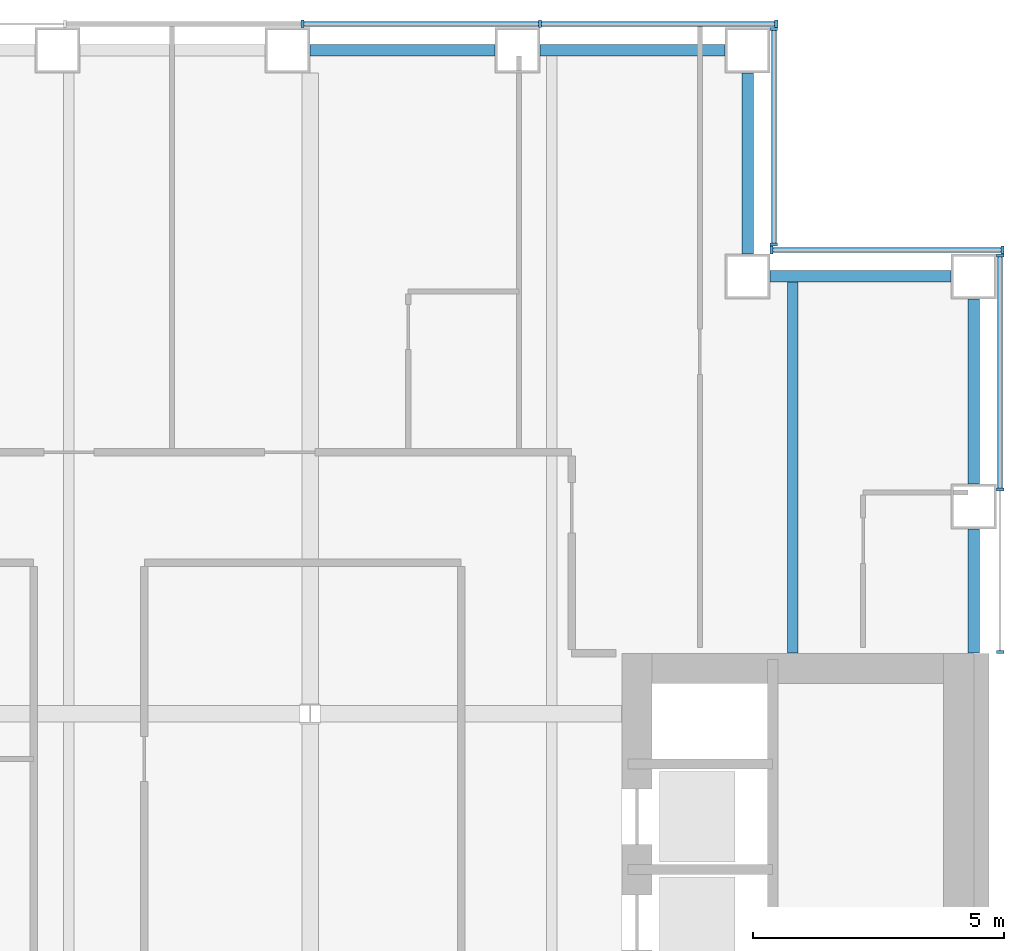
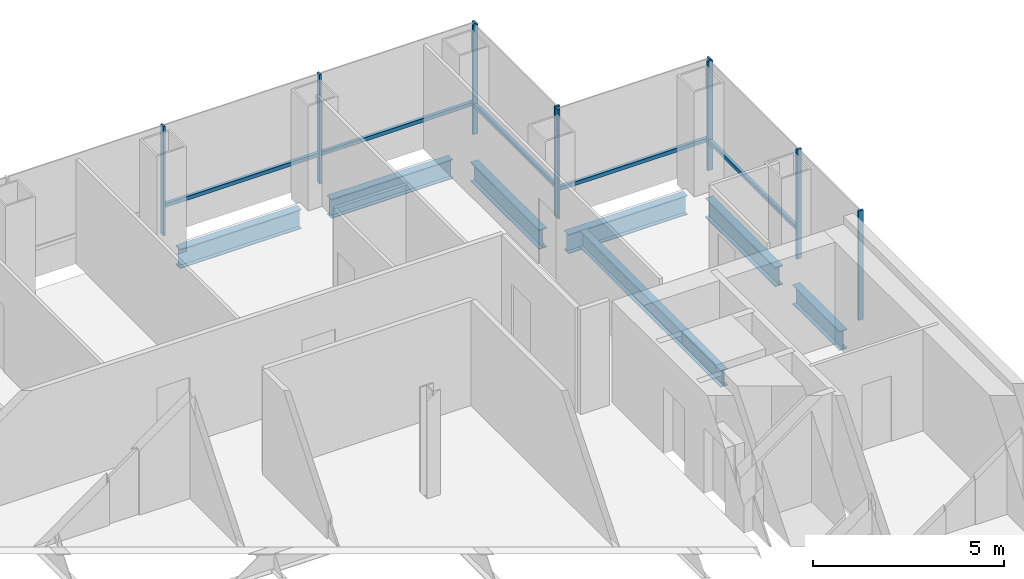
# One storey, part 8 of 16: 15 members, 7 beams, 4 elements without a shape of their own.
"""IFC4 building model written with IfcOpenShell, lengths in metres."""

from ifc_helpers import new_model, si_unit, direction, frame, origin, origin_2d, place, context, subcontext, project, spatial, rectangle, i_section, extrude, material, material_profile, profile_set, type_object, element, aggregate, save


model = new_model("IFC4")

# Units and contexts
model_context = context("Model", 3, precision=1e-05, world=origin(), true_north=direction((0.0, 1.0)))
body_context = subcontext(model_context, "Body", "Model", "MODEL_VIEW")
ifc_project = project(units=[si_unit("LENGTHUNIT", "METRE"), si_unit("AREAUNIT", "SQUARE_METRE"), si_unit("VOLUMEUNIT", "CUBIC_METRE"), si_unit("PLANEANGLEUNIT", "RADIAN"), si_unit("MASSUNIT", "GRAM", prefix="KILO")], contexts=[model_context])

# Site, building, storey
site_placement = place(None, origin())
site = spatial("IfcSite", under=ifc_project, at=site_placement, CompositionType="ELEMENT")
building_placement = place(site_placement, origin())
building = spatial("IfcBuilding", under=site, at=building_placement, Name="Cobrizo Arcos Hotel Tower", CompositionType="ELEMENT")
storey_placement = place(building_placement, frame((0.0, 0.0, 113.5)))
storey = spatial("IfcBuildingStorey", under=building, at=storey_placement, Name="L28", CompositionType="ELEMENT", Elevation=113.5)

# Curtain wall, members
ifc_material_1 = material(Name="Aluminium 6063-T6 anodised bronze", Category="aluminium")
curtain_wall_type = type_object("IfcCurtainWallType", Name="CW-A guest facade", PredefinedType="NOTDEFINED", material=ifc_material_1)
curtain_wall_1_placement = place(storey_placement, origin())
curtain_wall_1 = element("IfcCurtainWall", 1, at=curtain_wall_1_placement, inside=storey, type_object=curtain_wall_type, Name="CW-A L28 E face", PredefinedType="NOTDEFINED")
ifc_material_profile_1 = material_profile(ifc_material_1, rectangle(XDim=0.14990234375, YDim=0.06005859375, at=origin_2d()), Name="CW-A mullion 150x60")
ifc_profile_set_1 = profile_set([ifc_material_profile_1], Name="Aluminium 6063-T6 anodised bronze")
member_type_1 = type_object("IfcMemberType", Name="CW-A mullion 150x60", PredefinedType="MULLION", material=ifc_profile_set_1)
member_1_placement = place(storey_placement, frame((23.324951171875, 10.830078125, 0.0), z_axis=(0.0, 0.0, 1.0), x_axis=(1.0, 0.0, 0.0)))
member_1 = element("IfcMember", 2, at=member_1_placement, type_object=member_type_1, Name="CW-A mullion 1", PredefinedType="MULLION", context=body_context, shape_type="SweptSolid", body=[
    extrude(rectangle(XDim=0.14990234375, YDim=0.06005859375, at=origin_2d()), origin(), (0.0, 0.0, 1.0), 3.5),
])
member_2_placement = place(storey_placement, frame((23.324951171875, 14.0625, 0.0), z_axis=(0.0, 0.0, 1.0), x_axis=(1.0, 0.0, 0.0)))
member_2 = element("IfcMember", 3, at=member_2_placement, type_object=member_type_1, Name="CW-A mullion 2", PredefinedType="MULLION", context=body_context, shape_type="SweptSolid", body=[
    extrude(rectangle(XDim=0.14990234375, YDim=0.06005859375, at=origin_2d()), origin(), (0.0, 0.0, 1.0), 3.5),
])
member_3_placement = place(storey_placement, frame((23.324951171875, 18.719970703125, 0.0), z_axis=(0.0, 0.0, 1.0), x_axis=(1.0, 0.0, 0.0)))
member_3 = element("IfcMember", 4, at=member_3_placement, type_object=member_type_1, Name="CW-A mullion 3", PredefinedType="MULLION", context=body_context, shape_type="SweptSolid", body=[
    extrude(rectangle(XDim=0.14990234375, YDim=0.06005859375, at=origin_2d()), origin(), (0.0, 0.0, 1.0), 3.5),
])

curtain_wall_2_placement = place(storey_placement, origin())
curtain_wall_2 = element("IfcCurtainWall", 5, at=curtain_wall_2_placement, inside=storey, type_object=curtain_wall_type, Name="CW-A L28 N face", PredefinedType="NOTDEFINED")
member_4_placement = place(storey_placement, frame((23.3701171875, 18.824951171875, 0.0), z_axis=(0.0, 0.0, 1.0), x_axis=(0.0, 1.0, 0.0)))
member_4 = element("IfcMember", 6, at=member_4_placement, type_object=member_type_1, Name="CW-A mullion 1", PredefinedType="MULLION", context=body_context, shape_type="SweptSolid", body=[
    extrude(rectangle(XDim=0.14990234375, YDim=0.06005859375, at=origin_2d()), origin(), (0.0, 0.0, 1.0), 3.5),
])
member_5_placement = place(storey_placement, frame((18.780029296875, 18.824951171875, 0.0), z_axis=(0.0, 0.0, 1.0), x_axis=(0.0, 1.0, 0.0)))
member_5 = element("IfcMember", 7, at=member_5_placement, type_object=member_type_1, Name="CW-A mullion 2", PredefinedType="MULLION", context=body_context, shape_type="SweptSolid", body=[
    extrude(rectangle(XDim=0.14990234375, YDim=0.06005859375, at=origin_2d()), origin(), (0.0, 0.0, 1.0), 3.5),
])

curtain_wall_3_placement = place(storey_placement, origin())
curtain_wall_3 = element("IfcCurtainWall", 8, at=curtain_wall_3_placement, inside=storey, type_object=curtain_wall_type, Name="CW-A L28 E face", PredefinedType="NOTDEFINED")
member_6_placement = place(storey_placement, frame((18.824951171875, 18.929931640625, 0.0), z_axis=(0.0, 0.0, 1.0), x_axis=(1.0, 0.0, 0.0)))
member_6 = element("IfcMember", 9, at=member_6_placement, type_object=member_type_1, Name="CW-A mullion 1", PredefinedType="MULLION", context=body_context, shape_type="SweptSolid", body=[
    extrude(rectangle(XDim=0.14990234375, YDim=0.06005859375, at=origin_2d()), origin(), (0.0, 0.0, 1.0), 3.5),
])
member_7_placement = place(storey_placement, frame((18.824951171875, 23.219970703125, 0.0), z_axis=(0.0, 0.0, 1.0), x_axis=(1.0, 0.0, 0.0)))
member_7 = element("IfcMember", 10, at=member_7_placement, type_object=member_type_1, Name="CW-A mullion 2", PredefinedType="MULLION", context=body_context, shape_type="SweptSolid", body=[
    extrude(rectangle(XDim=0.14990234375, YDim=0.06005859375, at=origin_2d()), origin(), (0.0, 0.0, 1.0), 3.5),
])

curtain_wall_4_placement = place(storey_placement, origin())
curtain_wall_4 = element("IfcCurtainWall", 11, at=curtain_wall_4_placement, inside=storey, type_object=curtain_wall_type, Name="CW-A L28 N face", PredefinedType="NOTDEFINED")
member_8_placement = place(storey_placement, frame((18.8701171875, 23.324951171875, 0.0), z_axis=(0.0, 0.0, 1.0), x_axis=(0.0, 1.0, 0.0)))
member_8 = element("IfcMember", 12, at=member_8_placement, type_object=member_type_1, Name="CW-A mullion 1", PredefinedType="MULLION", context=body_context, shape_type="SweptSolid", body=[
    extrude(rectangle(XDim=0.14990234375, YDim=0.06005859375, at=origin_2d()), origin(), (0.0, 0.0, 1.0), 3.5),
])
member_9_placement = place(storey_placement, frame((14.175048828125, 23.324951171875, 0.0), z_axis=(0.0, 0.0, 1.0), x_axis=(0.0, 1.0, 0.0)))
member_9 = element("IfcMember", 13, at=member_9_placement, type_object=member_type_1, Name="CW-A mullion 2", PredefinedType="MULLION", context=body_context, shape_type="SweptSolid", body=[
    extrude(rectangle(XDim=0.14990234375, YDim=0.06005859375, at=origin_2d()), origin(), (0.0, 0.0, 1.0), 3.5),
])
member_10_placement = place(storey_placement, frame((9.449951171875, 23.324951171875, 0.0), z_axis=(0.0, 0.0, 1.0), x_axis=(0.0, 1.0, 0.0)))
member_10 = element("IfcMember", 14, at=member_10_placement, type_object=member_type_1, Name="CW-A mullion 3", PredefinedType="MULLION", context=body_context, shape_type="SweptSolid", body=[
    extrude(rectangle(XDim=0.14990234375, YDim=0.06005859375, at=origin_2d()), origin(), (0.0, 0.0, 1.0), 3.5),
])

# Member
ifc_material_profile_2 = material_profile(ifc_material_1, rectangle(XDim=0.10009765625, YDim=0.1201171875, at=origin_2d()), Name="CW-A transom 120x100")
ifc_profile_set_2 = profile_set([ifc_material_profile_2], Name="Aluminium 6063-T6 anodised bronze")
member_type_2 = type_object("IfcMemberType", Name="CW-A transom 120x100", PredefinedType="USERDEFINED", material=ifc_profile_set_2)
member_11_placement = place(storey_placement, frame((23.324951171875, 14.092529296875, 0.929931640625), z_axis=(0.0, 1.0, 0.0), x_axis=(-1.0, 0.0, 0.0)))
member_11 = element("IfcMember", 15, at=member_11_placement, type_object=member_type_2, Name="CW-A transom 1088", ObjectType="TRANSOM", PredefinedType="USERDEFINED", context=body_context, shape_type="SweptSolid", body=[
    extrude(rectangle(XDim=0.10009765625, YDim=0.1201171875, at=origin_2d()), origin(), (0.0, 0.0, 1.0), 4.597412109375),
])

aggregate(curtain_wall_1, [member_1, member_2, member_3, member_11])

member_12_placement = place(storey_placement, frame((23.340087890625, 18.824951171875, 0.929931640625), z_axis=(-1.0, 0.0, 0.0), x_axis=(0.0, -1.0, 0.0)))
member_12 = element("IfcMember", 16, at=member_12_placement, type_object=member_type_2, Name="CW-A transom 1089", ObjectType="TRANSOM", PredefinedType="USERDEFINED", context=body_context, shape_type="SweptSolid", body=[
    extrude(rectangle(XDim=0.10009765625, YDim=0.1201171875, at=origin_2d()), origin(), (0.0, 0.0, 1.0), 4.530029296875),
])

aggregate(curtain_wall_2, [member_4, member_5, member_12])

member_13_placement = place(storey_placement, frame((18.824951171875, 18.9599609375, 0.929931640625), z_axis=(0.0, 1.0, 0.0), x_axis=(-1.0, 0.0, 0.0)))
member_13 = element("IfcMember", 17, at=member_13_placement, type_object=member_type_2, Name="CW-A transom 1090", ObjectType="TRANSOM", PredefinedType="USERDEFINED", context=body_context, shape_type="SweptSolid", body=[
    extrude(rectangle(XDim=0.10009765625, YDim=0.1201171875, at=origin_2d()), origin(), (0.0, 0.0, 1.0), 4.22998046875),
])

aggregate(curtain_wall_3, [member_6, member_7, member_13])

member_14_placement = place(storey_placement, frame((18.840087890625, 23.324951171875, 0.929931640625), z_axis=(-1.0, 0.0, 0.0), x_axis=(0.0, -1.0, 0.0)))
member_14 = element("IfcMember", 18, at=member_14_placement, type_object=member_type_2, Name="CW-A transom 1091", ObjectType="TRANSOM", PredefinedType="USERDEFINED", context=body_context, shape_type="SweptSolid", body=[
    extrude(rectangle(XDim=0.10009765625, YDim=0.1201171875, at=origin_2d()), origin(), (0.0, 0.0, 1.0), 4.635009765625),
])

member_15_placement = place(storey_placement, frame((14.14501953125, 23.324951171875, 0.929931640625), z_axis=(-1.0, 0.0, 0.0), x_axis=(0.0, -1.0, 0.0)))
member_15 = element("IfcMember", 19, at=member_15_placement, type_object=member_type_2, Name="CW-A transom 1092", ObjectType="TRANSOM", PredefinedType="USERDEFINED", context=body_context, shape_type="SweptSolid", body=[
    extrude(rectangle(XDim=0.10009765625, YDim=0.1201171875, at=origin_2d()), origin(), (0.0, 0.0, 1.0), 4.6650390625),
])

aggregate(curtain_wall_4, [member_8, member_9, member_10, member_14, member_15])

# Beams
ifc_material_2 = material(Name="Steel ASTM A992 Grade 50", Category="steel")
ifc_material_profile_3 = material_profile(ifc_material_2, i_section(OverallWidth=0.209228515625, OverallDepth=0.533447265625, WebThickness=0.01025390625, FlangeThickness=0.015625, at=origin_2d()), Name="W21X62")
ifc_profile_set_3 = profile_set([ifc_material_profile_3], Name="Steel ASTM A992 Grade 50")
beam_type_1 = type_object("IfcBeamType", Name="W21X62 joist", PredefinedType="JOIST", material=ifc_profile_set_3)
beam_1_placement = place(storey_placement, frame((19.199951171875, 10.81005859375, -0.416748046875), z_axis=(0.0, 1.0, 0.0), x_axis=(-1.0, 0.0, 0.0)))
element("IfcBeam", 20, at=beam_1_placement, inside=storey, type_object=beam_type_1, Name="Floor joist J1, L28, no. 020", PredefinedType="JOIST", context=body_context, shape_type="SweptSolid", body=[
    extrude(i_section(OverallWidth=0.209228515625, OverallDepth=0.533447265625, WebThickness=0.01025390625, FlangeThickness=0.015625, at=origin_2d()), origin(), (0.0, 0.0, 1.0), 7.39990234375),
])
ifc_material_profile_4 = material_profile(ifc_material_2, i_section(OverallWidth=0.23046875, OverallDepth=0.6171875, WebThickness=0.01318359375, FlangeThickness=0.022216796875, at=origin_2d()), Name="W24X94")
ifc_profile_set_4 = profile_set([ifc_material_profile_4], Name="Steel ASTM A992 Grade 50")
beam_type_2 = type_object("IfcBeamType", Name="W24X94 spandrel", PredefinedType="SPANDREL", material=ifc_profile_set_4)
beam_2_placement = place(storey_placement, frame((22.800048828125, 10.81005859375, -0.45849609375), z_axis=(0.0, 1.0, 0.0), x_axis=(-1.0, 0.0, 0.0)))
element("IfcBeam", 21, at=beam_2_placement, inside=storey, type_object=beam_type_2, Name="Spandrel beam W24X94, L28, no. 013", PredefinedType="SPANDREL", context=body_context, shape_type="SweptSolid", body=[
    extrude(i_section(OverallWidth=0.23046875, OverallDepth=0.6171875, WebThickness=0.01318359375, FlangeThickness=0.022216796875, at=origin_2d()), origin(), (0.0, 0.0, 1.0), 2.46484375),
])
beam_3_placement = place(storey_placement, frame((22.800048828125, 14.175048828125, -0.45849609375), z_axis=(0.0, 1.0, 0.0), x_axis=(-1.0, 0.0, 0.0)))
element("IfcBeam", 22, at=beam_3_placement, inside=storey, type_object=beam_type_2, Name="Spandrel beam W24X94, L28, no. 014", PredefinedType="SPANDREL", context=body_context, shape_type="SweptSolid", body=[
    extrude(i_section(OverallWidth=0.23046875, OverallDepth=0.6171875, WebThickness=0.01318359375, FlangeThickness=0.022216796875, at=origin_2d()), origin(), (0.0, 0.0, 1.0), 3.675048828125),
])
for number, where, z_axis, x_axis, name in (
    (23, (22.35009765625, 18.300048828125, -0.45849609375), (-1.0, 0.0, 0.0), (0.0, -1.0, 0.0), "Spandrel beam W24X94, L28, no. 015"),
    (24, (18.300048828125, 18.75, -0.45849609375), (0.0, 1.0, 0.0), (-1.0, 0.0, 0.0), "Spandrel beam W24X94, L28, no. 016"),
):
    element("IfcBeam", number, at=place(storey_placement, frame(where, z_axis=z_axis, x_axis=x_axis)), inside=storey, type_object=beam_type_2, Name=name, PredefinedType="SPANDREL", context=body_context, shape_type="SweptSolid", body=[
        extrude(i_section(OverallWidth=0.23046875, OverallDepth=0.6171875, WebThickness=0.01318359375, FlangeThickness=0.022216796875, at=origin_2d()), origin(), (0.0, 0.0, 1.0), 3.60009765625),
    ])
beam_4_placement = place(storey_placement, frame((17.85009765625, 22.800048828125, -0.45849609375), z_axis=(-1.0, 0.0, 0.0), x_axis=(0.0, -1.0, 0.0)))
element("IfcBeam", 25, at=beam_4_placement, inside=storey, type_object=beam_type_2, Name="Spandrel beam W24X94, L28, no. 017", PredefinedType="SPANDREL", context=body_context, shape_type="SweptSolid", body=[
    extrude(i_section(OverallWidth=0.23046875, OverallDepth=0.6171875, WebThickness=0.01318359375, FlangeThickness=0.022216796875, at=origin_2d()), origin(), (0.0, 0.0, 1.0), 3.675048828125),
])
beam_5_placement = place(storey_placement, frame((13.27490234375, 22.800048828125, -0.45849609375), z_axis=(-1.0, 0.0, 0.0), x_axis=(0.0, -1.0, 0.0)))
element("IfcBeam", 26, at=beam_5_placement, inside=storey, type_object=beam_type_2, Name="Spandrel beam W24X94, L28, no. 018", PredefinedType="SPANDREL", context=body_context, shape_type="SweptSolid", body=[
    extrude(i_section(OverallWidth=0.23046875, OverallDepth=0.6171875, WebThickness=0.01318359375, FlangeThickness=0.022216796875, at=origin_2d()), origin(), (0.0, 0.0, 1.0), 3.6748046875),
])

save(model, "model.ifc")
